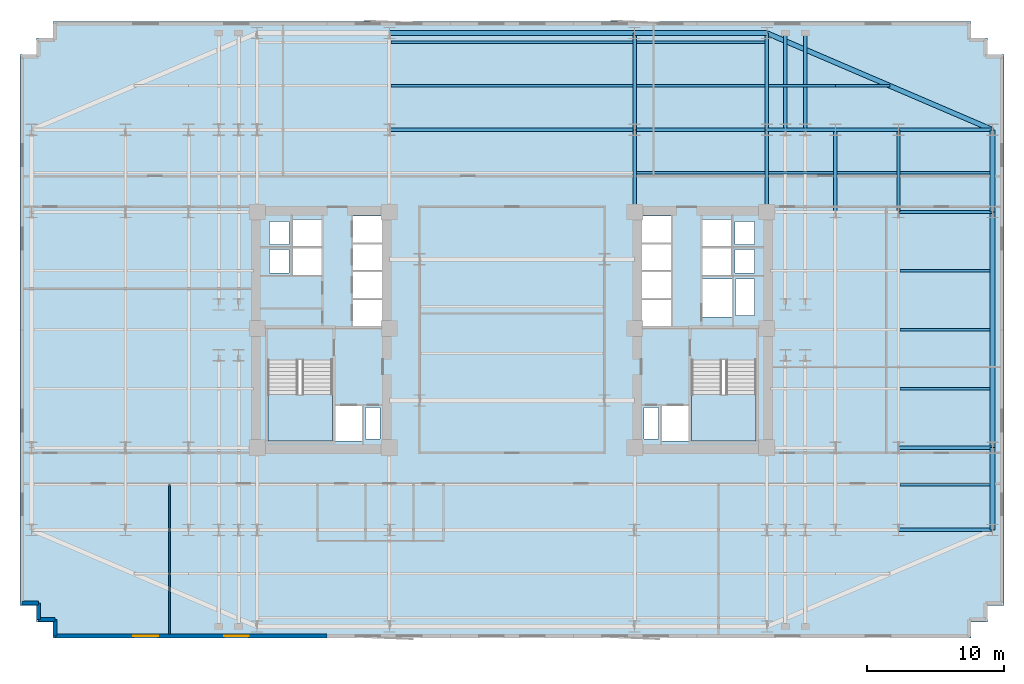
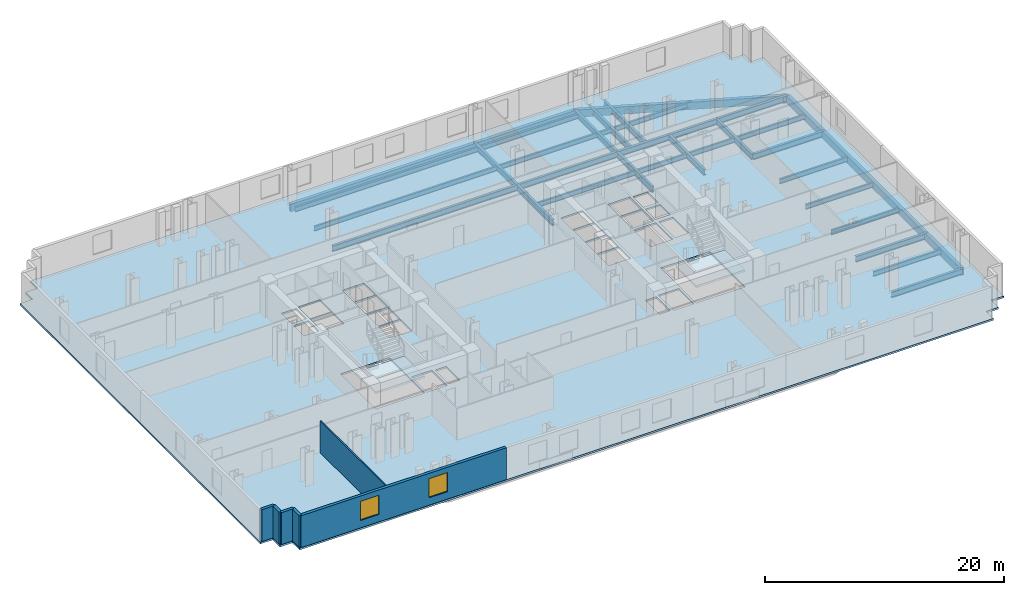
# One storey, part 3 of 10: 36 beams, 6 walls, 3 slabs, 2 windows, 2 openings, 2 elements without a shape of their own.
"""IFC4 building model written with IfcOpenShell, lengths in metres."""

from ifc_helpers import new_model, si_unit, direction, frame, frame_2d, origin, origin_2d, place, context, subcontext, project, spatial, polyline, rectangle, i_section, outline, extrude, material, layer, layer_set, material_profile, profile_set, type_object, element, fill, aggregate, save


model = new_model("IFC4")

# Units and contexts
model_context = context("Model", 3, precision=1e-05, world=origin(), true_north=direction((0.0, 1.0)))
body_context = subcontext(model_context, "Body", "Model", "MODEL_VIEW")
ifc_project = project(units=[si_unit("LENGTHUNIT", "METRE"), si_unit("AREAUNIT", "SQUARE_METRE"), si_unit("VOLUMEUNIT", "CUBIC_METRE"), si_unit("PLANEANGLEUNIT", "RADIAN"), si_unit("MASSUNIT", "GRAM", prefix="KILO")], contexts=[model_context])

# Site, building, storey
site_placement = place(None, origin())
site = spatial("IfcSite", under=ifc_project, at=site_placement, CompositionType="ELEMENT")
building_placement = place(site_placement, origin())
building = spatial("IfcBuilding", under=site, at=building_placement, Name="Velakula Bourse", CompositionType="ELEMENT")
storey_placement = place(building_placement, frame((0.0, 0.0, 38.10009765625)))
storey = spatial("IfcBuildingStorey", under=building, at=storey_placement, Name="L09", CompositionType="ELEMENT", Elevation=38.10009765625)

# Beams
ifc_material_1 = material(Name="Steel IS 2062 Grade 350 (E350)", Category="steel")
ifc_material_profile_1 = material_profile(ifc_material_1, i_section(OverallWidth=0.25, OverallDepth=0.60009765625, WebThickness=0.01171875, FlangeThickness=0.023681640625, at=origin_2d()), Name="Steel IS 2062 Grade 350 (E350)")
ifc_profile_set_1 = profile_set([ifc_material_profile_1], Name="Steel IS 2062 Grade 350 (E350)")
beam_type_1 = type_object("IfcBeamType", Name="BM-GRD-600H", PredefinedType="BEAM", material=ifc_profile_set_1)
for number, where, z_axis, x_axis, name in (
    (1, (8.949951171875, 8.60009765625, -0.47998046875), (0.0, 1.0, 0.0), (-1.0, 0.0, 0.0), "L09 Fulcrum Grid Girder FLC-ECN"),
    (2, (18.60009765625, 8.60009765625, -0.47998046875), (0.0, 1.0, 0.0), (-1.0, 0.0, 0.0), "L09 Fulcrum Grid Girder FLC-EN"),
):
    element("IfcBeam", number, at=place(storey_placement, frame(where, z_axis=z_axis, x_axis=x_axis)), inside=storey, type_object=beam_type_1, Name=name, PredefinedType="BEAM", context=body_context, shape_type="SweptSolid", body=[
        extrude(i_section(OverallWidth=0.25, OverallDepth=0.60009765625, WebThickness=0.01171875, FlangeThickness=0.023681640625, at=origin_2d()), origin(), (0.0, 0.0, 1.0), 6.0),
    ])
beam_1_placement = place(storey_placement, frame((-8.949951171875, 14.60009765625, -0.47998046875), z_axis=(1.0, 0.0, 0.0), x_axis=(0.0, 1.0, 0.0)))
element("IfcBeam", 3, at=beam_1_placement, inside=storey, type_object=beam_type_1, Name="L09 Fulcrum Grid Girder FLC-N2", PredefinedType="BEAM", context=body_context, shape_type="SweptSolid", body=[
    extrude(i_section(OverallWidth=0.25, OverallDepth=0.60009765625, WebThickness=0.01171875, FlangeThickness=0.023681640625, at=origin_2d()), origin(), (0.0, 0.0, 1.0), 17.89990234375),
])
beam_2_placement = place(storey_placement, frame((8.949951171875, 14.60009765625, -0.47998046875), z_axis=(1.0, 0.0, 0.0), x_axis=(0.0, 1.0, 0.0)))
element("IfcBeam", 4, at=beam_2_placement, inside=storey, type_object=beam_type_1, Name="L09 Fulcrum Grid Girder FLC-N3", PredefinedType="BEAM", context=body_context, shape_type="SweptSolid", body=[
    extrude(i_section(OverallWidth=0.25, OverallDepth=0.60009765625, WebThickness=0.01171875, FlangeThickness=0.023681640625, at=origin_2d()), origin(), (0.0, 0.0, 1.0), 9.650146484375),
])
beam_3_placement = place(storey_placement, frame((18.60009765625, 14.60009765625, -0.47998046875), z_axis=(1.0, 0.0, 0.0), x_axis=(0.0, 1.0, 0.0)))
element("IfcBeam", 5, at=beam_3_placement, inside=storey, type_object=beam_type_1, Name="L09 Fulcrum Grid Girder MWG-EN2", PredefinedType="BEAM", context=body_context, shape_type="SweptSolid", body=[
    extrude(i_section(OverallWidth=0.25, OverallDepth=0.60009765625, WebThickness=0.01171875, FlangeThickness=0.023681640625, at=origin_2d()), origin(), (0.0, 0.0, 1.0), 5.0),
])
beam_4_placement = place(storey_placement, frame((23.60009765625, 8.60009765625, -0.47998046875), z_axis=(0.0, 1.0, 0.0), x_axis=(-1.0, 0.0, 0.0)))
element("IfcBeam", 6, at=beam_4_placement, inside=storey, type_object=beam_type_1, Name="L09 Fulcrum Grid Girder MWG-ENS3", PredefinedType="BEAM", context=body_context, shape_type="SweptSolid", body=[
    extrude(i_section(OverallWidth=0.25, OverallDepth=0.60009765625, WebThickness=0.01171875, FlangeThickness=0.023681640625, at=origin_2d()), origin(), (0.0, 0.0, 1.0), 6.0),
])
beam_5_placement = place(storey_placement, frame((23.60009765625, 14.60009765625, -0.47998046875), z_axis=(1.0, 0.0, 0.0), x_axis=(0.0, 1.0, 0.0)))
element("IfcBeam", 7, at=beam_5_placement, inside=storey, type_object=beam_type_1, Name="L09 Fulcrum Grid Girder WNG-EN2", PredefinedType="BEAM", context=body_context, shape_type="SweptSolid", body=[
    extrude(i_section(OverallWidth=0.25, OverallDepth=0.60009765625, WebThickness=0.01171875, FlangeThickness=0.023681640625, at=origin_2d()), origin(), (0.0, 0.0, 1.0), 4.599853515625),
])
beam_6_placement = place(storey_placement, frame((28.199951171875, 8.60009765625, -0.47998046875), z_axis=(0.0, 1.0, 0.0), x_axis=(-1.0, 0.0, 0.0)))
element("IfcBeam", 8, at=beam_6_placement, inside=storey, type_object=beam_type_1, Name="L09 Fulcrum Grid Girder WNG-ENS3", PredefinedType="BEAM", context=body_context, shape_type="SweptSolid", body=[
    extrude(i_section(OverallWidth=0.25, OverallDepth=0.60009765625, WebThickness=0.01171875, FlangeThickness=0.023681640625, at=origin_2d()), origin(), (0.0, 0.0, 1.0), 6.0),
])
for number, where, z_axis, x_axis, name in (
    (9, (8.949951171875, 14.60009765625, -0.47998046875), (0.0, 1.0, 0.0), (-1.0, 0.0, 0.0), "L09 Perimeter Tie Girder N3"),
    (10, (18.60009765625, 14.60009765625, -0.47998046875), (0.0, 1.0, 0.0), (-1.0, 0.0, 0.0), "L09 Perimeter Tie Girder N4"),
):
    element("IfcBeam", number, at=place(storey_placement, frame(where, z_axis=z_axis, x_axis=x_axis)), inside=storey, type_object=beam_type_1, Name=name, PredefinedType="BEAM", context=body_context, shape_type="SweptSolid", body=[
        extrude(i_section(OverallWidth=0.25, OverallDepth=0.60009765625, WebThickness=0.01171875, FlangeThickness=0.023681640625, at=origin_2d()), origin(), (0.0, 0.0, 1.0), 7.0498046875),
    ])
for number, where, z_axis, x_axis, name in (
    (11, (28.199951171875, -14.60009765625, -0.47998046875), (1.0, 0.0, 0.0), (0.0, 1.0, 0.0), "L09 Perimeter Tie Girder E1"),
    (12, (28.199951171875, -8.60009765625, -0.47998046875), (1.0, 0.0, 0.0), (0.0, 1.0, 0.0), "L09 Perimeter Tie Girder E2"),
    (13, (28.199951171875, 8.60009765625, -0.47998046875), (1.0, 0.0, 0.0), (0.0, 1.0, 0.0), "L09 Perimeter Tie Girder E3"),
    (14, (28.199951171875, 14.60009765625, -0.47998046875), (1.0, 0.0, 0.0), (0.0, 1.0, 0.0), "L09 Perimeter Tie Girder E4"),
):
    element("IfcBeam", number, at=place(storey_placement, frame(where, z_axis=z_axis, x_axis=x_axis)), inside=storey, type_object=beam_type_1, Name=name, PredefinedType="BEAM", context=body_context, shape_type="SweptSolid", body=[
        extrude(i_section(OverallWidth=0.25, OverallDepth=0.60009765625, WebThickness=0.01171875, FlangeThickness=0.023681640625, at=origin_2d()), origin(), (0.0, 0.0, 1.0), 6.85009765625),
    ])
for number, where, z_axis, x_axis, name in (
    (15, (19.949951171875, 14.60009765625, -0.47998046875), (0.0, 1.0, 0.0), (-1.0, 0.0, 0.0), "L09 Perimeter Tie Girder P07"),
    (16, (21.39990234375, 14.60009765625, -0.47998046875), (0.0, 1.0, 0.0), (-1.0, 0.0, 0.0), "L09 Perimeter Tie Girder P08"),
):
    element("IfcBeam", number, at=place(storey_placement, frame(where, z_axis=z_axis, x_axis=x_axis)), inside=storey, type_object=beam_type_1, Name=name, PredefinedType="BEAM", context=body_context, shape_type="SweptSolid", body=[
        extrude(i_section(OverallWidth=0.25, OverallDepth=0.60009765625, WebThickness=0.01171875, FlangeThickness=0.023681640625, at=origin_2d()), origin(), (0.0, 0.0, 1.0), 7.0498046875),
    ])
ifc_material_profile_2 = material_profile(ifc_material_1, i_section(OverallWidth=0.179931640625, OverallDepth=0.5, WebThickness=0.01025390625, FlangeThickness=0.01708984375, at=origin_2d()), Name="Steel IS 2062 Grade 350 (E350)")
ifc_profile_set_2 = profile_set([ifc_material_profile_2], Name="Steel IS 2062 Grade 350 (E350)")
beam_type_2 = type_object("IfcBeamType", Name="JST-TWR-500", PredefinedType="JOIST", material=ifc_profile_set_2)
beam_7_placement = place(storey_placement, frame((28.324951171875, -11.300048828125, -0.43017578125), z_axis=(1.0, 0.0, 0.0), x_axis=(0.0, 1.0, 0.0)))
element("IfcBeam", 17, at=beam_7_placement, inside=storey, type_object=beam_type_2, Name="L09 Trading Floor Composite Joist 19", PredefinedType="JOIST", context=body_context, shape_type="SweptSolid", body=[
    extrude(i_section(OverallWidth=0.179931640625, OverallDepth=0.5, WebThickness=0.01025390625, FlangeThickness=0.01708984375, at=origin_2d()), origin(), (0.0, 0.0, 1.0), 6.550048828125),
])
beam_8_placement = place(storey_placement, frame((9.074951171875, 11.449951171875, -0.43017578125), z_axis=(1.0, 0.0, 0.0), x_axis=(0.0, 1.0, 0.0)))
element("IfcBeam", 18, at=beam_8_placement, inside=storey, type_object=beam_type_2, Name="L09 Trading Floor Composite Joist 25", PredefinedType="JOIST", context=body_context, shape_type="SweptSolid", body=[
    extrude(i_section(OverallWidth=0.179931640625, OverallDepth=0.5, WebThickness=0.01025390625, FlangeThickness=0.01708984375, at=origin_2d()), origin(), (0.0, 0.0, 1.0), 9.400146484375),
])
beam_9_placement = place(storey_placement, frame((18.72509765625, 11.449951171875, -0.43017578125), z_axis=(1.0, 0.0, 0.0), x_axis=(0.0, 1.0, 0.0)))
element("IfcBeam", 19, at=beam_9_placement, inside=storey, type_object=beam_type_2, Name="L09 Trading Floor Composite Joist 26", PredefinedType="JOIST", context=body_context, shape_type="SweptSolid", body=[
    extrude(i_section(OverallWidth=0.179931640625, OverallDepth=0.5, WebThickness=0.01025390625, FlangeThickness=0.01708984375, at=origin_2d()), origin(), (0.0, 0.0, 1.0), 4.75),
])
beam_10_placement = place(storey_placement, frame((23.72509765625, 11.449951171875, -0.43017578125), z_axis=(1.0, 0.0, 0.0), x_axis=(0.0, 1.0, 0.0)))
element("IfcBeam", 20, at=beam_10_placement, inside=storey, type_object=beam_type_2, Name="L09 Trading Floor Composite Joist 27", PredefinedType="JOIST", context=body_context, shape_type="SweptSolid", body=[
    extrude(i_section(OverallWidth=0.179931640625, OverallDepth=0.5, WebThickness=0.01025390625, FlangeThickness=0.01708984375, at=origin_2d()), origin(), (0.0, 0.0, 1.0), 4.349853515625),
])
beam_11_placement = place(storey_placement, frame((28.324951171875, 11.449951171875, -0.43017578125), z_axis=(1.0, 0.0, 0.0), x_axis=(0.0, 1.0, 0.0)))
element("IfcBeam", 21, at=beam_11_placement, inside=storey, type_object=beam_type_2, Name="L09 Trading Floor Composite Joist 28", PredefinedType="JOIST", context=body_context, shape_type="SweptSolid", body=[
    extrude(i_section(OverallWidth=0.179931640625, OverallDepth=0.5, WebThickness=0.01025390625, FlangeThickness=0.01708984375, at=origin_2d()), origin(), (0.0, 0.0, 1.0), 6.550048828125),
])
beam_12_placement = place(storey_placement, frame((-8.824951171875, 17.800048828125, -0.43017578125), z_axis=(1.0, 0.0, 0.0), x_axis=(0.0, 1.0, 0.0)))
element("IfcBeam", 22, at=beam_12_placement, inside=storey, type_object=beam_type_2, Name="L09 Trading Floor Composite Joist 32", PredefinedType="JOIST", context=body_context, shape_type="SweptSolid", body=[
    extrude(i_section(OverallWidth=0.179931640625, OverallDepth=0.5, WebThickness=0.01025390625, FlangeThickness=0.01708984375, at=origin_2d()), origin(), (0.0, 0.0, 1.0), 17.64990234375),
])
beam_13_placement = place(storey_placement, frame((9.074951171875, 17.800048828125, -0.43017578125), z_axis=(1.0, 0.0, 0.0), x_axis=(0.0, 1.0, 0.0)))
element("IfcBeam", 23, at=beam_13_placement, inside=storey, type_object=beam_type_2, Name="L09 Trading Floor Composite Joist 33", PredefinedType="JOIST", context=body_context, shape_type="SweptSolid", body=[
    extrude(i_section(OverallWidth=0.179931640625, OverallDepth=0.5, WebThickness=0.01025390625, FlangeThickness=0.01708984375, at=origin_2d()), origin(), (0.0, 0.0, 1.0), 9.400146484375),
])
beam_14_placement = place(storey_placement, frame((18.72509765625, 17.800048828125, -0.43017578125), z_axis=(1.0, 0.0, 0.0), x_axis=(0.0, 1.0, 0.0)))
element("IfcBeam", 24, at=beam_14_placement, inside=storey, type_object=beam_type_2, Name="L09 Trading Floor Composite Joist 34", PredefinedType="JOIST", context=body_context, shape_type="SweptSolid", body=[
    extrude(i_section(OverallWidth=0.179931640625, OverallDepth=0.5, WebThickness=0.01025390625, FlangeThickness=0.01708984375, at=origin_2d()), origin(), (0.0, 0.0, 1.0), 4.875),
])
beam_15_placement = place(storey_placement, frame((23.60009765625, 17.800048828125, -0.43017578125), z_axis=(1.0, 0.0, 0.0), x_axis=(0.0, 1.0, 0.0)))
element("IfcBeam", 25, at=beam_15_placement, inside=storey, type_object=beam_type_2, Name="L09 Trading Floor Composite Joist 35", PredefinedType="JOIST", context=body_context, shape_type="SweptSolid", body=[
    extrude(i_section(OverallWidth=0.179931640625, OverallDepth=0.5, WebThickness=0.01025390625, FlangeThickness=0.01708984375, at=origin_2d()), origin(), (0.0, 0.0, 1.0), 3.983154296875),
])
beam_16_placement = place(storey_placement, frame((-8.824951171875, 21.0, -0.43017578125), z_axis=(1.0, 0.0, 0.0), x_axis=(0.0, 1.0, 0.0)))
element("IfcBeam", 26, at=beam_16_placement, inside=storey, type_object=beam_type_2, Name="L09 Trading Floor Composite Joist 37", PredefinedType="JOIST", context=body_context, shape_type="SweptSolid", body=[
    extrude(i_section(OverallWidth=0.179931640625, OverallDepth=0.5, WebThickness=0.01025390625, FlangeThickness=0.01708984375, at=origin_2d()), origin(), (0.0, 0.0, 1.0), 17.64990234375),
])
beam_17_placement = place(storey_placement, frame((9.074951171875, 21.0, -0.43017578125), z_axis=(1.0, 0.0, 0.0), x_axis=(0.0, 1.0, 0.0)))
element("IfcBeam", 27, at=beam_17_placement, inside=storey, type_object=beam_type_2, Name="L09 Trading Floor Composite Joist 38", PredefinedType="JOIST", context=body_context, shape_type="SweptSolid", body=[
    extrude(i_section(OverallWidth=0.179931640625, OverallDepth=0.5, WebThickness=0.01025390625, FlangeThickness=0.01708984375, at=origin_2d()), origin(), (0.0, 0.0, 1.0), 9.400146484375),
])
for number, where, z_axis, x_axis, name in (
    (28, (28.324951171875, -4.300048828125, -0.43017578125), (1.0, 0.0, 0.0), (0.0, 1.0, 0.0), "L09 Trading Floor Composite Joist 46"),
    (29, (28.324951171875, 0.0, -0.43017578125), (1.0, 0.0, 0.0), (0.0, 1.0, 0.0), "L09 Trading Floor Composite Joist 52"),
    (30, (28.324951171875, 4.300048828125, -0.43017578125), (1.0, 0.0, 0.0), (0.0, 1.0, 0.0), "L09 Trading Floor Composite Joist 58"),
):
    element("IfcBeam", number, at=place(storey_placement, frame(where, z_axis=z_axis, x_axis=x_axis)), inside=storey, type_object=beam_type_2, Name=name, PredefinedType="JOIST", context=body_context, shape_type="SweptSolid", body=[
        extrude(i_section(OverallWidth=0.179931640625, OverallDepth=0.5, WebThickness=0.01025390625, FlangeThickness=0.01708984375, at=origin_2d()), origin(), (0.0, 0.0, 1.0), 6.550048828125),
    ])
ifc_material_2 = material(Name="Precast concrete M45 (fck 45 MPa)", Category="concrete")
ifc_material_profile_3 = material_profile(ifc_material_2, rectangle(XDim=0.35009765625, YDim=0.75, at=origin_2d()), Name="Precast concrete M45 (fck 45 MPa)")
ifc_profile_set_3 = profile_set([ifc_material_profile_3], Name="Precast concrete M45 (fck 45 MPa)")
beam_type_3 = type_object("IfcBeamType", Name="SPN-BRICK-750", PredefinedType="SPANDREL", material=ifc_profile_set_3)
beam_18_placement = place(storey_placement, frame((-8.949951171875, 21.64990234375, -0.55517578125), z_axis=(1.0, 0.0, 0.0), x_axis=(0.0, 1.0, 0.0)))
element("IfcBeam", 31, at=beam_18_placement, inside=storey, type_object=beam_type_3, Name="L09 Brick-Faced Precast Spandrel N2-N3", PredefinedType="SPANDREL", context=body_context, shape_type="SweptSolid", body=[
    extrude(rectangle(XDim=0.35009765625, YDim=0.75, at=origin_2d()), origin(), (0.0, 0.0, 1.0), 17.89990234375),
])
beam_19_placement = place(storey_placement, frame((8.949951171875, 21.64990234375, -0.55517578125), z_axis=(1.0, 0.0, 0.0), x_axis=(0.0, 1.0, 0.0)))
element("IfcBeam", 32, at=beam_19_placement, inside=storey, type_object=beam_type_3, Name="L09 Brick-Faced Precast Spandrel N3-N4", PredefinedType="SPANDREL", context=body_context, shape_type="SweptSolid", body=[
    extrude(rectangle(XDim=0.35009765625, YDim=0.75, at=origin_2d()), origin(), (0.0, 0.0, 1.0), 9.650146484375),
])
beam_20_placement = place(storey_placement, frame((35.050048828125, -14.60009765625, -0.55517578125), z_axis=(0.0, 1.0, 0.0), x_axis=(-1.0, 0.0, 0.0)))
element("IfcBeam", 33, at=beam_20_placement, inside=storey, type_object=beam_type_3, Name="L09 Brick-Faced Precast Spandrel E1-E2", PredefinedType="SPANDREL", context=body_context, shape_type="SweptSolid", body=[
    extrude(rectangle(XDim=0.35009765625, YDim=0.75, at=origin_2d()), origin(), (0.0, 0.0, 1.0), 6.0),
])
beam_21_placement = place(storey_placement, frame((35.050048828125, -8.60009765625, -0.55517578125), z_axis=(0.0, 1.0, 0.0), x_axis=(-1.0, 0.0, 0.0)))
element("IfcBeam", 34, at=beam_21_placement, inside=storey, type_object=beam_type_3, Name="L09 Brick-Faced Precast Spandrel E2-E3", PredefinedType="SPANDREL", context=body_context, shape_type="SweptSolid", body=[
    extrude(rectangle(XDim=0.35009765625, YDim=0.75, at=origin_2d()), origin(), (0.0, 0.0, 1.0), 17.2001953125),
])
beam_22_placement = place(storey_placement, frame((35.050048828125, 8.60009765625, -0.55517578125), z_axis=(0.0, 1.0, 0.0), x_axis=(-1.0, 0.0, 0.0)))
element("IfcBeam", 35, at=beam_22_placement, inside=storey, type_object=beam_type_3, Name="L09 Brick-Faced Precast Spandrel E3-E4", PredefinedType="SPANDREL", context=body_context, shape_type="SweptSolid", body=[
    extrude(rectangle(XDim=0.35009765625, YDim=0.75, at=origin_2d()), origin(), (0.0, 0.0, 1.0), 6.0),
])
beam_23_placement = place(storey_placement, frame((35.050048828125, 14.60009765625, -0.55517578125), z_axis=(-0.919148557947, 0.393911066642, 0.0), x_axis=(-0.393911066642, -0.919148557947, 0.0)))
element("IfcBeam", 36, at=beam_23_placement, inside=storey, type_object=beam_type_3, Name="L09 Brick-Faced Precast Spandrel E4-N4", PredefinedType="SPANDREL", context=body_context, shape_type="SweptSolid", body=[
    extrude(rectangle(XDim=0.35009765625, YDim=0.75, at=origin_2d()), origin(), (0.0, 0.0, 1.0), 17.89697265625),
])

# Stair, slab
ifc_material_3 = material(Name="Concrete M45 (fck 45 MPa)", Category="concrete")
stair_type = type_object("IfcStairType", Name="STR-DOG-390", PredefinedType="HALF_TURN_STAIR", material=ifc_material_3)
stair_1_placement = place(storey_placement, origin())
stair_1 = element("IfcStair", 37, at=stair_1_placement, inside=storey, type_object=stair_type, Name="L09 West Core Exit Stair ST-W1", PredefinedType="HALF_TURN_STAIR")
ifc_layer_1 = layer(ifc_material_3, 0.199951171875, Name="Concrete M45 (fck 45 MPa)", Category="concrete")
ifc_layer_set_1 = layer_set([ifc_layer_1], Name="Concrete M45 (fck 45 MPa)")
slab_type_1 = type_object("IfcSlabType", Name="SLB-STAIR-LND-200", PredefinedType="LANDING", material=ifc_layer_set_1)
slab_1_placement = place(storey_placement, frame((0.0, 0.0, 1.52490234375)))
slab_1 = element("IfcSlab", 38, at=slab_1_placement, type_object=slab_type_1, Name="ST-W1 landing 1", PredefinedType="LANDING", context=body_context, shape_type="SweptSolid", body=[
    extrude(outline(polyline([(-17.820068359375, -4.719970703125), (-17.820068359375, -8.10009765625), (-13.10009765625, -8.10009765625), (-13.10009765625, -4.719970703125), (-17.820068359375, -4.719970703125)])), origin(), (0.0, 0.0, 1.0), 0.199951171875),
])
aggregate(stair_1, [slab_1])

stair_2_placement = place(storey_placement, origin())
stair_2 = element("IfcStair", 39, at=stair_2_placement, inside=storey, type_object=stair_type, Name="L09 East Core Exit Stair ST-E1", PredefinedType="HALF_TURN_STAIR")
slab_2_placement = place(storey_placement, frame((0.0, 0.0, 1.52490234375)))
slab_2 = element("IfcSlab", 40, at=slab_2_placement, type_object=slab_type_1, Name="ST-E1 landing 1", PredefinedType="LANDING", context=body_context, shape_type="SweptSolid", body=[
    extrude(outline(polyline([(13.10009765625, -4.719970703125), (13.10009765625, -8.10009765625), (17.820068359375, -8.10009765625), (17.820068359375, -4.719970703125), (13.10009765625, -4.719970703125)])), origin(), (0.0, 0.0, 1.0), 0.199951171875),
])
aggregate(stair_2, [slab_2])

# Slab
ifc_material_4 = material(Name="Concrete M50 (fck 50 MPa)", Category="concrete")
ifc_layer_2 = layer(ifc_material_4, 0.179931640625, Name="Concrete M50 (fck 50 MPa)", Category="concrete")
ifc_layer_set_2 = layer_set([ifc_layer_2], Name="Concrete M50 (fck 50 MPa)")
slab_type_2 = type_object("IfcSlabType", Name="SLB-TWR-180", PredefinedType="FLOOR", material=ifc_layer_set_2)
slab_3_placement = place(storey_placement, frame((0.0, 0.0, -0.18017578125)))
element("IfcSlab", 41, at=slab_3_placement, inside=storey, type_object=slab_type_2, Name="L09 Suspended Structural Floor Slab", PredefinedType="FLOOR", context=body_context, shape_type="SweptSolid", body=[
    extrude(outline(polyline([(-33.5, -22.5), (33.5, -22.5), (33.5, -21.300048828125), (34.699951171875, -21.300048828125), (34.699951171875, -20.10009765625), (35.89990234375, -20.10009765625), (35.89990234375, 20.10009765625), (34.699951171875, 20.10009765625), (34.699951171875, 21.300048828125), (33.5, 21.300048828125), (33.5, 22.5), (-33.5, 22.5), (-33.5, 21.300048828125), (-34.699951171875, 21.300048828125), (-34.699951171875, 20.10009765625), (-35.89990234375, 20.10009765625), (-35.89990234375, -20.10009765625), (-34.699951171875, -20.10009765625), (-34.699951171875, -21.300048828125), (-33.5, -21.300048828125), (-33.5, -22.5)]), holes=[polyline([(-17.820068359375, -8.10009765625), (-13.10009765625, -8.10009765625), (-13.10009765625, -2.199951171875), (-17.820068359375, -2.199951171875), (-17.820068359375, -8.10009765625)]), polyline([(13.10009765625, -8.10009765625), (17.820068359375, -8.10009765625), (17.820068359375, -2.199951171875), (13.10009765625, -2.199951171875), (13.10009765625, -8.10009765625)]), polyline([(-12.89990234375, -8.10009765625), (-10.949951171875, -8.10009765625), (-10.949951171875, -5.550048828125), (-12.89990234375, -5.550048828125), (-12.89990234375, -8.10009765625)]), polyline([(10.949951171875, -8.10009765625), (12.89990234375, -8.10009765625), (12.89990234375, -5.550048828125), (10.949951171875, -5.550048828125), (10.949951171875, -8.10009765625)]), polyline([(13.89990234375, 0.919921875), (16.050048828125, 0.919921875), (16.050048828125, 3.719970703125), (13.89990234375, 3.719970703125), (13.89990234375, 0.919921875)]), polyline([(-10.679931640625, -7.97998046875), (-9.6201171875, -7.97998046875), (-9.6201171875, -5.669921875), (-10.679931640625, -5.669921875), (-10.679931640625, -7.97998046875)]), polyline([(-17.679931640625, 4.139892578125), (-16.27001953125, 4.139892578125), (-16.27001953125, 5.85009765625), (-17.679931640625, 5.85009765625), (-17.679931640625, 4.139892578125)]), polyline([(-17.679931640625, 6.2099609375), (-16.27001953125, 6.2099609375), (-16.27001953125, 7.919921875), (-17.679931640625, 7.919921875), (-17.679931640625, 6.2099609375)]), polyline([(9.6201171875, -7.97998046875), (10.679931640625, -7.97998046875), (10.679931640625, -5.669921875), (9.6201171875, -5.669921875), (9.6201171875, -7.97998046875)]), polyline([(16.27001953125, 4.139892578125), (17.679931640625, 4.139892578125), (17.679931640625, 5.85009765625), (16.27001953125, 5.85009765625), (16.27001953125, 4.139892578125)]), polyline([(16.27001953125, 6.2099609375), (17.679931640625, 6.2099609375), (17.679931640625, 7.919921875), (16.27001953125, 7.919921875), (16.27001953125, 6.2099609375)]), polyline([(16.320068359375, 1.0400390625), (17.679931640625, 1.0400390625), (17.679931640625, 3.699951171875), (16.320068359375, 3.699951171875), (16.320068359375, 1.0400390625)]), polyline([(-11.60009765625, 0.280029296875), (-9.5, 0.280029296875), (-9.5, 2.199951171875), (-11.60009765625, 2.199951171875), (-11.60009765625, 0.280029296875)]), polyline([(-11.60009765625, 2.31005859375), (-9.5, 2.31005859375), (-9.5, 4.22998046875), (-11.60009765625, 4.22998046875), (-11.60009765625, 2.31005859375)]), polyline([(-11.60009765625, 4.340087890625), (-9.5, 4.340087890625), (-9.5, 6.260009765625), (-11.60009765625, 6.260009765625), (-11.60009765625, 4.340087890625)]), polyline([(-11.60009765625, 6.3701171875), (-9.5, 6.3701171875), (-9.5, 8.2900390625), (-11.60009765625, 8.2900390625), (-11.60009765625, 6.3701171875)]), polyline([(9.5, 0.280029296875), (11.60009765625, 0.280029296875), (11.60009765625, 2.199951171875), (9.5, 2.199951171875), (9.5, 0.280029296875)]), polyline([(9.5, 2.31005859375), (11.60009765625, 2.31005859375), (11.60009765625, 4.22998046875), (9.5, 4.22998046875), (9.5, 2.31005859375)]), polyline([(9.5, 4.340087890625), (11.60009765625, 4.340087890625), (11.60009765625, 6.260009765625), (9.5, 6.260009765625), (9.5, 4.340087890625)]), polyline([(9.5, 6.3701171875), (11.60009765625, 6.3701171875), (11.60009765625, 8.2900390625), (9.5, 8.2900390625), (9.5, 6.3701171875)]), polyline([(-16.0, 4.02001953125), (-13.89990234375, 4.02001953125), (-13.89990234375, 5.969970703125), (-16.0, 5.969970703125), (-16.0, 4.02001953125)]), polyline([(-16.0, 6.090087890625), (-13.89990234375, 6.090087890625), (-13.89990234375, 8.0400390625), (-16.0, 8.0400390625), (-16.0, 6.090087890625)]), polyline([(13.89990234375, 4.02001953125), (16.0, 4.02001953125), (16.0, 5.969970703125), (13.89990234375, 5.969970703125), (13.89990234375, 4.02001953125)]), polyline([(13.89990234375, 6.090087890625), (16.0, 6.090087890625), (16.0, 8.0400390625), (13.89990234375, 8.0400390625), (13.89990234375, 6.090087890625)])]), origin(), (0.0, 0.0, 1.0), 0.18017578125),
])

# Wall, openings, windows
ifc_material_5 = material(Name="Red kilned clay facing brick masonry", Category="masonry")
ifc_layer_3 = layer(ifc_material_5, 0.280029296875, Name="Red kilned clay facing brick masonry", Category="masonry")
ifc_layer_set_3 = layer_set([ifc_layer_3], Name="Red kilned clay facing brick masonry")
wall_type_1 = type_object("IfcWallType", Name="WL-EXT-BRK-280", PredefinedType="STANDARD", material=ifc_layer_set_3)
wall_1_placement = place(storey_placement, frame((-13.5, -22.340087890625, 0.0), z_axis=(0.0, 0.0, 1.0), x_axis=(-1.0, 0.0, 0.0)))
wall_1 = element("IfcWall", 42, at=wall_1_placement, inside=storey, type_object=wall_type_1, Name="L09 S Brick Spandrel Wall B1", PredefinedType="STANDARD", context=body_context, shape_type="SweptSolid", body=[
    extrude(rectangle(XDim=19.840087890625, YDim=0.280029296875, at=frame_2d((9.919921875, 0.0))), origin(), (0.0, 0.0, 1.0), 3.25),
])
opening_1_placement = place(wall_1_placement, frame((5.71337890625, 0.0, 0.760009765625)))
opening_1 = element("IfcOpeningElement", 43, at=opening_1_placement, cuts=wall_1, Name="Opening W-01", PredefinedType="OPENING", context=body_context, shape_type="SweptSolid", body=[
    extrude(rectangle(XDim=1.800048828125, YDim=1.949951171875, at=frame_2d((0.89990234375, 0.97509765625))), frame((0.0, 0.14990234375, 0.0), z_axis=(0.0, -1.0, 0.0), x_axis=(1.0, 0.0, 0.0)), (0.0, 0.0, 1.0), 0.300048828125),
])
opening_2_placement = place(wall_1_placement, frame((12.32666015625, 0.0, 0.760009765625)))
opening_2 = element("IfcOpeningElement", 44, at=opening_2_placement, cuts=wall_1, Name="Opening W-01", PredefinedType="OPENING", context=body_context, shape_type="SweptSolid", body=[
    extrude(rectangle(XDim=1.800048828125, YDim=1.949951171875, at=frame_2d((0.89990234375, 0.97509765625))), frame((0.0, 0.14990234375, 0.0), z_axis=(0.0, -1.0, 0.0), x_axis=(1.0, 0.0, 0.0)), (0.0, 0.0, 1.0), 0.300048828125),
])
ifc_material_6 = material(Name="Double-glazed solar-control Low-E glass", Category="glass")
window_type = type_object("IfcWindowType", Name="WIN-TWR-1800x2100", PartitioningType="SINGLE_PANEL", PredefinedType="WINDOW", material=ifc_material_6)
window_1_placement = place(opening_1_placement, origin())
window_1 = element("IfcWindow", 45, at=window_1_placement, inside=storey, type_object=window_type, Name="L09 Deep-Set Recessed Window 1", OverallHeight=1.949951171875, OverallWidth=1.800048828125, PartitioningType="SINGLE_PANEL", PredefinedType="WINDOW", context=body_context, shape_type="SweptSolid", body=[
    extrude(rectangle(XDim=1.800048828125, YDim=1.949951171875, at=frame_2d((0.89990234375, 0.97509765625))), frame((0.0, 0.030029296875, 0.0), z_axis=(0.0, -1.0, 0.0), x_axis=(1.0, 0.0, 0.0)), (0.0, 0.0, 1.0), 0.06005859375),
])
fill(opening_1, window_1)
window_2_placement = place(opening_2_placement, origin())
window_2 = element("IfcWindow", 46, at=window_2_placement, inside=storey, type_object=window_type, Name="L09 Deep-Set Recessed Window 2", OverallHeight=1.949951171875, OverallWidth=1.800048828125, PartitioningType="SINGLE_PANEL", PredefinedType="WINDOW", context=body_context, shape_type="SweptSolid", body=[
    extrude(rectangle(XDim=1.800048828125, YDim=1.949951171875, at=frame_2d((0.89990234375, 0.97509765625))), frame((0.0, 0.030029296875, 0.0), z_axis=(0.0, -1.0, 0.0), x_axis=(1.0, 0.0, 0.0)), (0.0, 0.0, 1.0), 0.06005859375),
])
fill(opening_2, window_2)

# Walls
for number, where, z_axis, x_axis, name in (
    (47, (-35.739990234375, -19.93994140625, 0.0), (0.0, 0.0, 1.0), (1.0, 0.0, 0.0), "L09 Serrated Corner Brick Wall SW-1"),
    (48, (-34.5400390625, -19.93994140625, 0.0), (0.0, 0.0, 1.0), (0.0, -1.0, 0.0), "L09 Serrated Corner Brick Wall SW-2"),
    (49, (-34.5400390625, -21.139892578125, 0.0), (0.0, 0.0, 1.0), (1.0, 0.0, 0.0), "L09 Serrated Corner Brick Wall SW-3"),
):
    element("IfcWall", number, at=place(storey_placement, frame(where, z_axis=z_axis, x_axis=x_axis)), inside=storey, type_object=wall_type_1, Name=name, PredefinedType="STANDARD", context=body_context, shape_type="SweptSolid", body=[
        extrude(rectangle(XDim=1.199951171875, YDim=0.280029296875, at=frame_2d((0.60009765625, 0.0))), origin(), (0.0, 0.0, 1.0), 3.25),
    ])
wall_2_placement = place(storey_placement, frame((-33.340087890625, -21.139892578125, 0.0), z_axis=(0.0, 0.0, 1.0), x_axis=(0.0, -1.0, 0.0)))
element("IfcWall", 50, at=wall_2_placement, inside=storey, type_object=wall_type_1, Name="L09 Serrated Corner Brick Wall SW-4", PredefinedType="STANDARD", context=body_context, shape_type="SweptSolid", body=[
    extrude(rectangle(XDim=1.2001953125, YDim=0.280029296875, at=frame_2d((0.60009765625, 0.0))), origin(), (0.0, 0.0, 1.0), 3.25),
])
ifc_material_7 = material(Name="Fire-rated double-layer gypsum drywall partition", Category="gypsum")
ifc_layer_4 = layer(ifc_material_7, 0.1201171875, Name="Fire-rated double-layer gypsum drywall partition", Category="gypsum")
ifc_layer_set_4 = layer_set([ifc_layer_4], Name="Fire-rated double-layer gypsum drywall partition")
wall_type_2 = type_object("IfcWallType", Name="WL-PART-120", PredefinedType="STANDARD", material=ifc_layer_set_4)
wall_3_placement = place(storey_placement, frame((-24.987060546875, -22.219970703125, 0.0), z_axis=(0.0, 0.0, 1.0), x_axis=(0.0, 1.0, 0.0)))
element("IfcWall", 51, at=wall_3_placement, inside=storey, type_object=wall_type_2, Name="L09 Interior Partition WL-INT-L09-SL-D5", PredefinedType="STANDARD", context=body_context, shape_type="SweptSolid", body=[
    extrude(rectangle(XDim=10.929931640625, YDim=0.1201171875, at=frame_2d((5.46484375, 0.0))), origin(), (0.0, 0.0, 1.0), 3.25),
])

save(model, "model.ifc")
